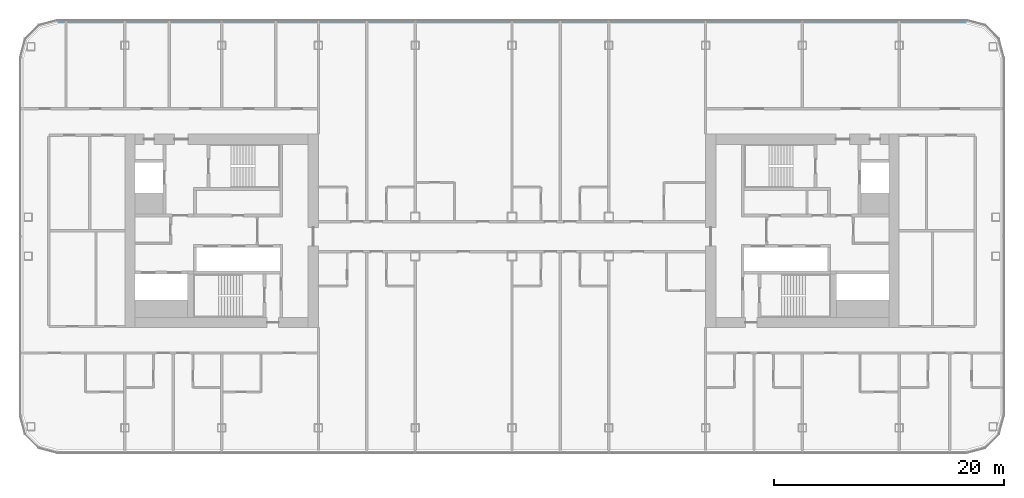
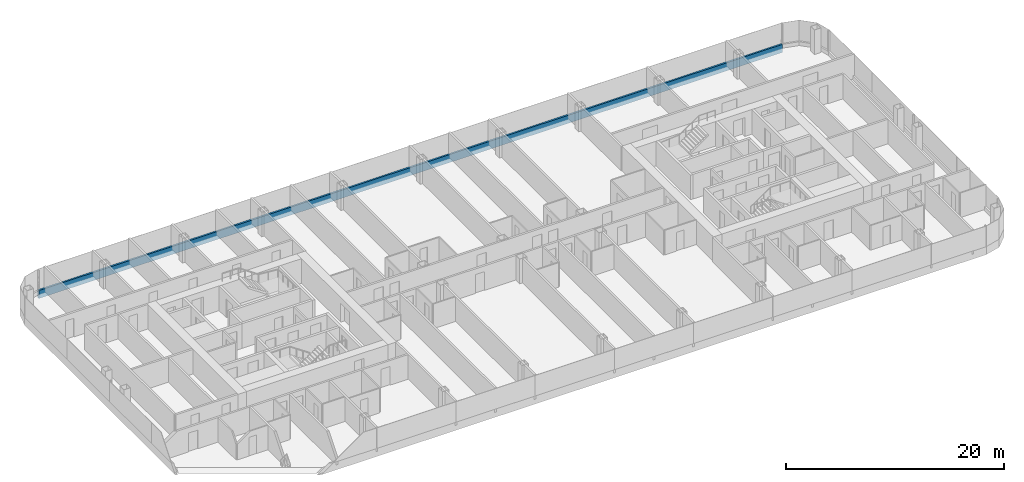
# One storey, part 7 of 26: 1 member, 1 element without a shape of its own.
"""IFC4 building model written with IfcOpenShell, lengths in metres."""

from ifc_helpers import new_model, si_unit, direction, frame, origin, origin_2d, place, context, subcontext, project, spatial, rectangle, extrude, material, layer, layer_set, material_profile, profile_set, type_object, element, aggregate, save


model = new_model("IFC4")

# Units and contexts
model_context = context("Model", 3, precision=1e-05, world=origin(), true_north=direction((0.0, 1.0)))
body_context = subcontext(model_context, "Body", "Model", "MODEL_VIEW")
ifc_project = project(units=[si_unit("LENGTHUNIT", "METRE"), si_unit("AREAUNIT", "SQUARE_METRE"), si_unit("VOLUMEUNIT", "CUBIC_METRE"), si_unit("PLANEANGLEUNIT", "RADIAN"), si_unit("MASSUNIT", "GRAM", prefix="KILO")], contexts=[model_context])

# Site, building, storey
site_placement = place(None, origin())
site = spatial("IfcSite", under=ifc_project, at=site_placement, CompositionType="ELEMENT")
building_placement = place(site_placement, origin())
building = spatial("IfcBuilding", under=site, at=building_placement, Name="Hakoniwa Tower and Hamabe Station Hall", CompositionType="ELEMENT")
storey_placement = place(building_placement, frame((0.0, 0.0, 140.60009765625)))
storey = spatial("IfcBuildingStorey", under=building, at=storey_placement, Name="L39", CompositionType="ELEMENT", Elevation=140.60009765625)

# Curtain wall, member
ifc_material_1 = material(Name="Dark low-e laminated glass", Category="glass")
ifc_layer = layer(ifc_material_1, 0.199951171875)
ifc_layer_set = layer_set([ifc_layer], Name="CW-1 UNITISED GUEST")
curtain_wall_type = type_object("IfcCurtainWallType", Name="CW-1 UNITISED GUEST", PredefinedType="NOTDEFINED", material=ifc_layer_set)
curtain_wall_placement = place(storey_placement, origin())
curtain_wall = element("IfcCurtainWall", 1, at=curtain_wall_placement, inside=storey, type_object=curtain_wall_type, Name="CW-1 curtain wall", PredefinedType="NOTDEFINED")
ifc_material_2 = material(Name="Aluminium 6063-T5 black anodised", Category="aluminium")
ifc_material_profile = material_profile(ifc_material_2, rectangle(XDim=0.199951171875, YDim=0.89990234375, at=origin_2d()), Name="CW SLAB-EDGE BAND 900X200")
ifc_profile_set = profile_set([ifc_material_profile], Name="Aluminium 6063-T5 black anodised")
member_type = type_object("IfcMemberType", Name="CW SLAB-EDGE BAND 900X200", PredefinedType="USERDEFINED", material=ifc_profile_set)
member_placement = place(storey_placement, frame((39.439453125, 18.199951171875, -0.10009765625), z_axis=(-1.0, 0.0, 0.0), x_axis=(0.0, -1.0, 0.0)))
member = element("IfcMember", 2, at=member_placement, type_object=member_type, Name="CW-1 transom", ObjectType="TRANSOM", PredefinedType="USERDEFINED", context=body_context, shape_type="SweptSolid", body=[
    extrude(rectangle(XDim=0.199951171875, YDim=0.89990234375, at=origin_2d()), origin(), (0.0, 0.0, 1.0), 78.87890625),
])
aggregate(curtain_wall, [member])

save(model, "model.ifc")
